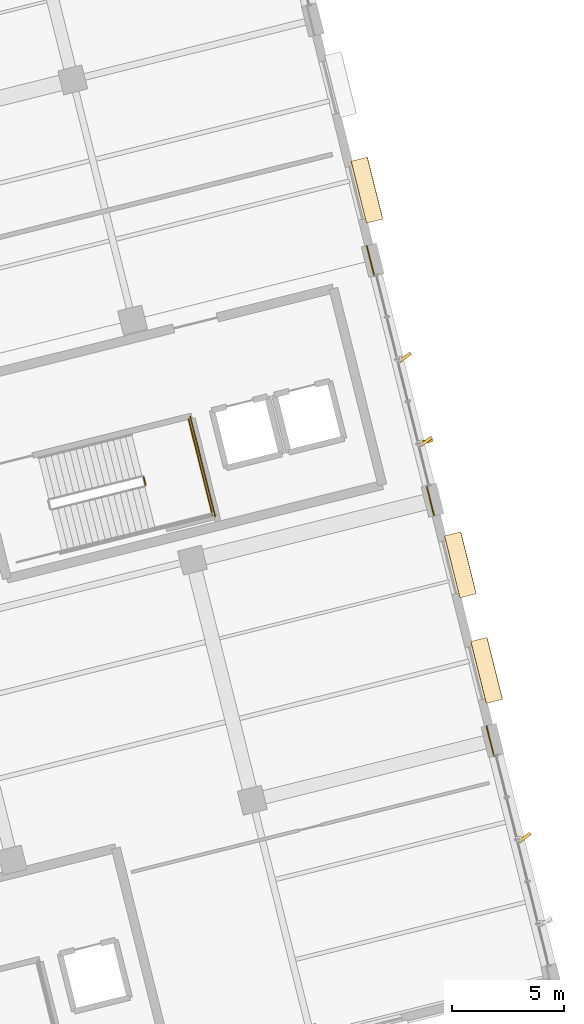
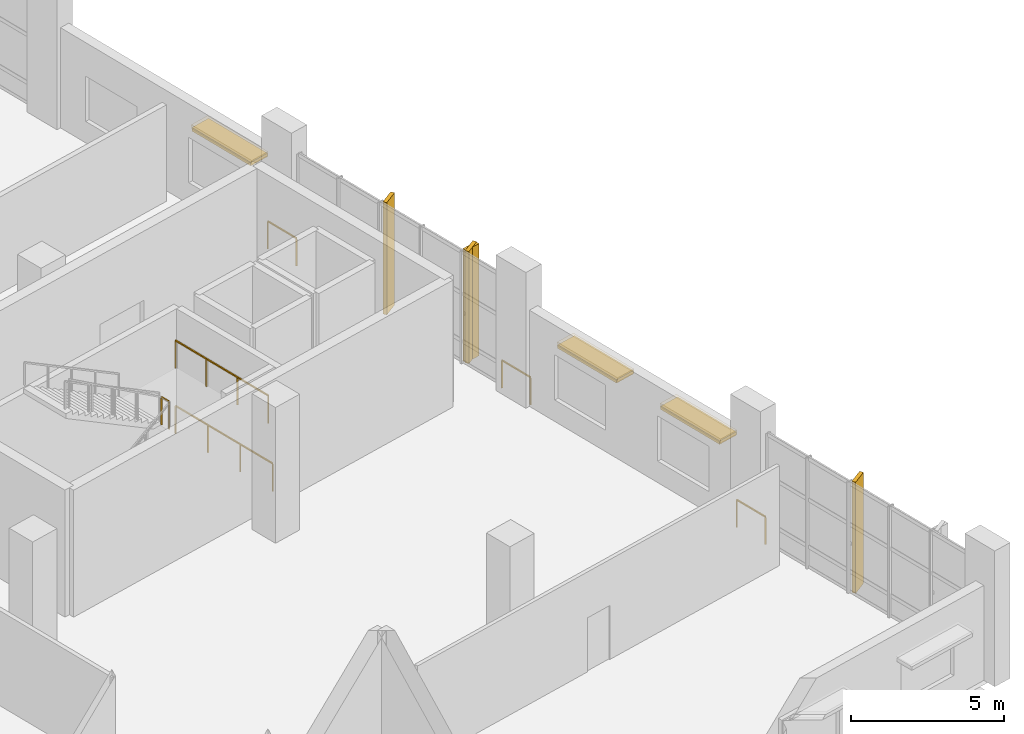
# One storey, part 170 of 176: 6 railings, 6 shading devices, 4 coverings.
"""IFC4 building model written with IfcOpenShell, lengths in metres."""

from ifc_helpers import new_model, si_unit, direction, frame, origin, origin_2d, place, context, subcontext, project, spatial, rectangle, extrude, material, layer, layer_set, type_object, element, save


model = new_model("IFC4")

# Units and contexts
model_context = context("Model", 3, precision=1e-05, world=origin(), true_north=direction((0.0, 1.0)))
body_context = subcontext(model_context, "Body", "Model", "MODEL_VIEW")
ifc_project = project(units=[si_unit("LENGTHUNIT", "METRE"), si_unit("AREAUNIT", "SQUARE_METRE"), si_unit("VOLUMEUNIT", "CUBIC_METRE"), si_unit("PLANEANGLEUNIT", "RADIAN"), si_unit("MASSUNIT", "GRAM", prefix="KILO")], contexts=[model_context])

# Site, building, storey
site_placement = place(None, origin())
site = spatial("IfcSite", under=ifc_project, at=site_placement, CompositionType="ELEMENT")
building_placement = place(site_placement, origin())
building = spatial("IfcBuilding", under=site, at=building_placement, Name="Khorjan Park Terminus", CompositionType="ELEMENT")
storey_placement = place(building_placement, frame((0.0, 0.0, 6.0)))
storey = spatial("IfcBuildingStorey", under=building, at=storey_placement, Name="L01", CompositionType="ELEMENT", Elevation=6.0)

# Coverings
ifc_material_1 = material(Name="Pigmented Precast GRC", Category="concrete")
ifc_layer_1 = layer(ifc_material_1, 0.16)
ifc_layer_set_1 = layer_set([ifc_layer_1], Name="Pigmented Precast GRC")
covering_type_1 = type_object("IfcCoveringType", Name="CV-FIN-GRC", PredefinedType="CLADDING", material=ifc_layer_set_1)
covering_placement = place(storey_placement, frame((224.4308, 41.9297, -0.02), z_axis=(0.0, 0.0, 1.0), x_axis=(-0.970295726276, -0.2419218956, 0.0)))
element("IfcCovering", 1, at=covering_placement, inside=storey, type_object=covering_type_1, Name="Projecting desert-sandstone GRC facade fin CL-FN1 (CW-V5-E-L01-B03-1)", PredefinedType="CLADDING", context=body_context, shape_type="SweptSolid", body=[
    extrude(rectangle(XDim=0.58, YDim=0.16, at=origin_2d()), origin(), (0.0, 0.0, 1.0), 4.465),
])
ifc_layer_2 = layer(ifc_material_1, 0.18)
ifc_layer_set_2 = layer_set([ifc_layer_2], Name="Pigmented Precast GRC")
covering_type_2 = type_object("IfcCoveringType", Name="CV-HOOD-GRC", PredefinedType="CLADDING", material=ifc_layer_set_2)
for number, where, z_axis, x_axis, name in (
    (2, (227.1227, 31.7531, 2.73), (0.0, 0.0, 1.0), (-0.241919949632, 0.970296211458, 0.0), "Projecting desert-sandstone GRC window eyebrow CL-HD1 (EW-V5-E-L01-B02-1)"),
    (3, (225.953, 36.4443, 2.73), (0.0, 0.0, 1.0), (-0.241919949632, 0.970296211458, 0.0), "Projecting desert-sandstone GRC window eyebrow CL-HD1 (EW-V5-E-L01-B02-2)"),
    (4, (221.8003, 53.1, 2.73), (0.0, 0.0, 1.0), (-0.241910213292, 0.970298638928, 0.0), "Projecting desert-sandstone GRC window eyebrow CL-HD1 (EW-V5-E-L01-B04-1)"),
):
    element("IfcCovering", number, at=place(storey_placement, frame(where, z_axis=z_axis, x_axis=x_axis)), inside=storey, type_object=covering_type_2, Name=name, PredefinedType="CLADDING", context=body_context, shape_type="SweptSolid", body=[
        extrude(rectangle(XDim=2.84, YDim=0.74, at=origin_2d()), origin(), (0.0, 0.0, 1.0), 0.16),
    ])

# Railings
ifc_material_2 = material(Name="Steel S355", Category="steel")
railing_type = type_object("IfcRailingType", Name="GR-112", PredefinedType="GUARDRAIL", material=ifc_material_2)
railing_1_placement = place(storey_placement, frame((211.9579, 39.9969, 2.7)))
element("IfcRailing", 5, at=railing_1_placement, inside=storey, type_object=railing_type, Name="L01 ST-04 stair guard 2", PredefinedType="GUARDRAIL", context=body_context, shape_type="SweptSolid", body=[
    extrude(rectangle(XDim=0.048, YDim=0.048, at=origin_2d()), frame((0.0, 0.0, 1.096), z_axis=(-0.241947338122, 0.970289382388, 0.0), x_axis=(-0.970289382388, -0.241947338122, 0.0)), (0.0, 0.0, 1.0), 0.36),
    extrude(rectangle(XDim=0.042, YDim=0.042, at=origin_2d()), origin(), (0.0, 0.0, 1.0), 1.072),
    extrude(rectangle(XDim=0.042, YDim=0.042, at=origin_2d()), frame((-0.0871, 0.3493, 0.0)), (0.0, 0.0, 1.0), 1.072),
])
railing_2_placement = place(storey_placement, frame((214.9305, 38.6768, 2.7)))
element("IfcRailing", 6, at=railing_2_placement, inside=storey, type_object=railing_type, Name="L01 ST-04 stair guard 4", PredefinedType="GUARDRAIL", context=body_context, shape_type="SweptSolid", body=[
    extrude(rectangle(XDim=0.048, YDim=0.048, at=origin_2d()), frame((0.0, 0.0, 1.096), z_axis=(-0.241904163851, 0.970300147125, 0.0), x_axis=(-0.970300147125, -0.241904163851, 0.0)), (0.0, 0.0, 1.0), 4.36),
    extrude(rectangle(XDim=0.042, YDim=0.042, at=origin_2d()), origin(), (0.0, 0.0, 1.0), 1.072),
    extrude(rectangle(XDim=0.042, YDim=0.042, at=origin_2d()), frame((-0.3516, 1.4102, 0.0)), (0.0, 0.0, 1.0), 1.072),
    extrude(rectangle(XDim=0.042, YDim=0.042, at=origin_2d()), frame((-0.7031, 2.8203, 0.0)), (0.0, 0.0, 1.0), 1.072),
    extrude(rectangle(XDim=0.042, YDim=0.042, at=origin_2d()), frame((-1.0547, 4.2305, 0.0)), (0.0, 0.0, 1.0), 1.072),
])
railing_3_placement = place(storey_placement, frame((215.0518, 38.604, 0.0)))
element("IfcRailing", 7, at=railing_3_placement, inside=storey, type_object=railing_type, Name="L01 ST-04 stair guard 9", PredefinedType="GUARDRAIL", context=body_context, shape_type="SweptSolid", body=[
    extrude(rectangle(XDim=0.048, YDim=0.048, at=origin_2d()), frame((0.0, 0.0, 1.096), z_axis=(-0.24193185783, 0.970293242359, 0.0), x_axis=(-0.970293242359, -0.24193185783, 0.0)), (0.0, 0.0, 1.0), 4.56),
    extrude(rectangle(XDim=0.042, YDim=0.042, at=origin_2d()), origin(), (0.0, 0.0, 1.0), 1.072),
    extrude(rectangle(XDim=0.042, YDim=0.042, at=origin_2d()), frame((-0.3677, 1.4748, 0.0)), (0.0, 0.0, 1.0), 1.072),
    extrude(rectangle(XDim=0.042, YDim=0.042, at=origin_2d()), frame((-0.7355, 2.9497, 0.0)), (0.0, 0.0, 1.0), 1.072),
    extrude(rectangle(XDim=0.042, YDim=0.042, at=origin_2d()), frame((-1.1032, 4.4245, 0.0)), (0.0, 0.0, 1.0), 1.072),
])
railing_4_placement = place(storey_placement, frame((221.7981, 50.608, 0.0)))
element("IfcRailing", 8, at=railing_4_placement, inside=storey, type_object=railing_type, Name="Perimeter safety guard GR-112 (L01-37)", PredefinedType="GUARDRAIL", context=body_context, shape_type="SweptSolid", body=[
    extrude(rectangle(XDim=0.048, YDim=0.048, at=origin_2d()), frame((0.0, 0.0, 1.096), z_axis=(0.24194076503, -0.970291021404, 0.0), x_axis=(0.970291021404, 0.24194076503, 0.0)), (0.0, 0.0, 1.0), 1.345),
    extrude(rectangle(XDim=0.042, YDim=0.042, at=origin_2d()), origin(), (0.0, 0.0, 1.0), 1.072),
    extrude(rectangle(XDim=0.042, YDim=0.042, at=origin_2d()), frame((0.3254, -1.305, 0.0)), (0.0, 0.0, 1.0), 1.072),
])
railing_5_placement = place(storey_placement, frame((224.4558, 39.9487, 0.0)))
element("IfcRailing", 9, at=railing_5_placement, inside=storey, type_object=railing_type, Name="Perimeter safety guard GR-112 (L01-38)", PredefinedType="GUARDRAIL", context=body_context, shape_type="SweptSolid", body=[
    extrude(rectangle(XDim=0.048, YDim=0.048, at=origin_2d()), frame((0.0, 0.0, 1.096), z_axis=(0.241923311945, -0.97029537314, 0.0), x_axis=(0.97029537314, 0.241923311945, 0.0)), (0.0, 0.0, 1.0), 1.3451),
    extrude(rectangle(XDim=0.042, YDim=0.042, at=origin_2d()), origin(), (0.0, 0.0, 1.0), 1.072),
    extrude(rectangle(XDim=0.042, YDim=0.042, at=origin_2d()), frame((0.3254, -1.3051, 0.0)), (0.0, 0.0, 1.0), 1.072),
])
railing_6_placement = place(storey_placement, frame((227.1205, 29.2611, 0.0)))
element("IfcRailing", 10, at=railing_6_placement, inside=storey, type_object=railing_type, Name="Perimeter safety guard GR-112 (L01-39)", PredefinedType="GUARDRAIL", context=body_context, shape_type="SweptSolid", body=[
    extrude(rectangle(XDim=0.048, YDim=0.048, at=origin_2d()), frame((0.0, 0.0, 1.096), z_axis=(0.241870763547, -0.970308473498, 0.0), x_axis=(0.970308473498, 0.241870763547, 0.0)), (0.0, 0.0, 1.0), 1.3449),
    extrude(rectangle(XDim=0.042, YDim=0.042, at=origin_2d()), origin(), (0.0, 0.0, 1.0), 1.072),
    extrude(rectangle(XDim=0.042, YDim=0.042, at=origin_2d()), frame((0.3253, -1.305, 0.0)), (0.0, 0.0, 1.0), 1.072),
])

# Shading devices
ifc_material_3 = material(Name="Anodized Bronze Aluminium", Category="aluminium")
shading_device_type_1 = type_object("IfcShadingDeviceType", Name="SD-FIN-620", PredefinedType="JALOUSIE", material=ifc_material_3)
shading_device_placement = place(storey_placement, frame((228.8202, 24.3248, -0.02), z_axis=(0.0, 0.0, 1.0), x_axis=(-0.809016994375, -0.587785252292, 0.0)))
element("IfcShadingDevice", 11, at=shading_device_placement, inside=storey, type_object=shading_device_type_1, Name="Angled solar brise-soleil fin SF-62 (CW-V5-E-L01-B01-3)", PredefinedType="JALOUSIE", context=body_context, shape_type="SweptSolid", body=[
    extrude(rectangle(XDim=0.62, YDim=0.14, at=origin_2d()), origin(), (0.0, 0.0, 1.0), 4.425),
])
for number, where, z_axis, x_axis, name in (
    (12, (224.4308, 41.9297, -0.02), (0.0, 0.0, 1.0), (-0.809016994375, -0.587785252292, 0.0), "Angled solar brise-soleil fin SF-62 (CW-V5-E-L01-B03-1)"),
    (13, (223.4979, 45.6714, -0.02), (0.0, 0.0, 1.0), (-0.809016994375, -0.587785252292, 0.0), "Angled solar brise-soleil fin SF-62 (CW-V5-E-L01-B03-3)"),
):
    element("IfcShadingDevice", number, at=place(storey_placement, frame(where, z_axis=z_axis, x_axis=x_axis)), inside=storey, type_object=shading_device_type_1, Name=name, PredefinedType="JALOUSIE", context=body_context, shape_type="SweptSolid", body=[
        extrude(rectangle(XDim=0.62, YDim=0.14, at=origin_2d()), origin(), (0.0, 0.0, 1.0), 4.465),
    ])
shading_device_type_2 = type_object("IfcShadingDeviceType", Name="SD-SUN-750", PredefinedType="SHUTTER", material=ifc_material_3)
for number, where, z_axis, x_axis, name in (
    (14, (227.1227, 31.7531, 2.66), (0.0, 0.0, 1.0), (-0.241919949632, 0.970296211458, 0.0), "Projecting solar overhang hood SH-75 (EW-V5-E-L01-B02-1)"),
    (15, (225.953, 36.4443, 2.66), (0.0, 0.0, 1.0), (-0.241919949632, 0.970296211458, 0.0), "Projecting solar overhang hood SH-75 (EW-V5-E-L01-B02-2)"),
    (16, (221.8003, 53.1, 2.66), (0.0, 0.0, 1.0), (-0.241910213292, 0.970298638928, 0.0), "Projecting solar overhang hood SH-75 (EW-V5-E-L01-B04-1)"),
):
    element("IfcShadingDevice", number, at=place(storey_placement, frame(where, z_axis=z_axis, x_axis=x_axis)), inside=storey, type_object=shading_device_type_2, Name=name, PredefinedType="SHUTTER", context=body_context, shape_type="SweptSolid", body=[
        extrude(rectangle(XDim=2.76, YDim=0.76, at=origin_2d()), origin(), (0.0, 0.0, 1.0), 0.14),
    ])

save(model, "model.ifc")
